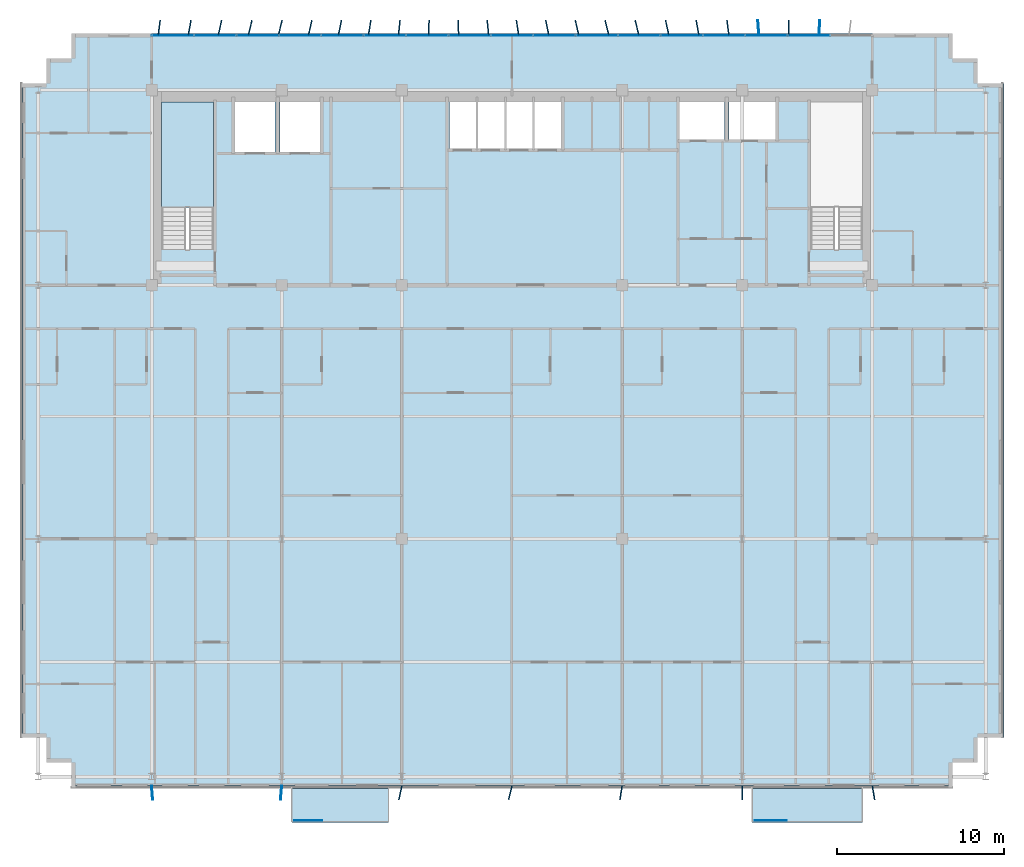
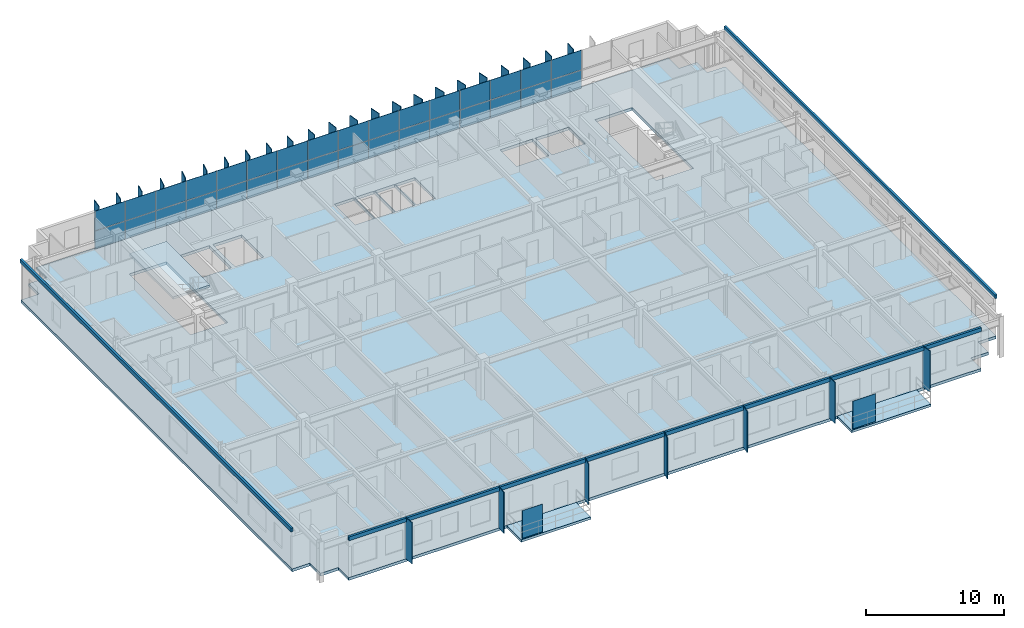
# One storey, part 13 of 22: 67 plates, 4 slabs, 2 elements without a shape of their own.
"""IFC4 building model written with IfcOpenShell, lengths in metres."""

from ifc_helpers import new_model, si_unit, direction, frame, origin, origin_2d, place, context, subcontext, project, spatial, polyline, rectangle, outline, extrude, source, transform, mapped, material, layer, layer_set, type_object, element, aggregate, save


model = new_model("IFC4")

# Units and contexts
model_context = context("Model", 3, precision=1e-05, world=origin(), true_north=direction((0.0, 1.0)))
body_context = subcontext(model_context, "Body", "Model", "MODEL_VIEW")
ifc_project = project(units=[si_unit("LENGTHUNIT", "METRE"), si_unit("AREAUNIT", "SQUARE_METRE"), si_unit("VOLUMEUNIT", "CUBIC_METRE"), si_unit("PLANEANGLEUNIT", "RADIAN"), si_unit("MASSUNIT", "GRAM", prefix="KILO")], contexts=[model_context])

# Site, building, storey
site_placement = place(None, origin())
site = spatial("IfcSite", under=ifc_project, at=site_placement, CompositionType="ELEMENT")
building_placement = place(site_placement, origin())
building = spatial("IfcBuilding", under=site, at=building_placement, Name="Trelvane Seafront Commons", CompositionType="ELEMENT")
storey_placement = place(building_placement, frame((0.0, 0.0, 139.300048828125)))
storey = spatial("IfcBuildingStorey", under=building, at=storey_placement, Name="L36", CompositionType="ELEMENT", Elevation=139.300048828125)

# Slabs
ifc_material_1 = material(Name="Concrete C40/50", Category="concrete")
ifc_layer_1 = layer(ifc_material_1, 0.219970703125, Name="ARCH-BALC-220")
ifc_layer_set_1 = layer_set([ifc_layer_1], Name="Concrete C40/50")
slab_type_1 = type_object("IfcSlabType", Name="ARCH-BALC-220", PredefinedType="FLOOR", material=ifc_layer_set_1)
slab_1_placement = place(storey_placement, frame((0.0, 0.0, -0.219970703125)))
element("IfcSlab", 1, at=slab_1_placement, inside=storey, type_object=slab_type_1, Name="L36 Cantilevered Tree Balcony Loggia 2", PredefinedType="FLOOR", context=body_context, shape_type="SweptSolid", body=[
    extrude(outline(polyline([(24.0, 1.199951171875), (29.800048828125, 1.199951171875), (29.800048828125, 3.300048828125), (24.0, 3.300048828125), (24.0, 1.199951171875)])), origin(), (0.0, 0.0, 1.0), 0.219970703125),
])
slab_2_placement = place(storey_placement, frame((0.0, 0.0, -0.219970703125)))
element("IfcSlab", 2, at=slab_2_placement, inside=storey, type_object=slab_type_1, Name="L36 Cantilevered Tree Balcony Loggia 3", PredefinedType="FLOOR", context=body_context, shape_type="SweptSolid", body=[
    extrude(outline(polyline([(51.60009765625, 1.199951171875), (58.199951171875, 1.199951171875), (58.199951171875, 3.300048828125), (51.60009765625, 3.300048828125), (51.60009765625, 1.199951171875)])), origin(), (0.0, 0.0, 1.0), 0.219970703125),
])

# Stair, slab
stair_type = type_object("IfcStairType", Name="ARCH-STR-ST-1-R20-180", PredefinedType="HALF_TURN_STAIR", material=ifc_material_1)
stair_placement = place(storey_placement, origin())
stair = element("IfcStair", 3, at=stair_placement, inside=storey, type_object=stair_type, Name="L36 West Protected Firefighting Exit Stair ST-1", PredefinedType="HALF_TURN_STAIR")
ifc_layer_2 = layer(ifc_material_1, 0.199951171875, Name="ARCH-LND-200")
ifc_layer_set_2 = layer_set([ifc_layer_2], Name="Concrete C40/50")
slab_type_2 = type_object("IfcSlabType", Name="ARCH-LND-200", PredefinedType="LANDING", material=ifc_layer_set_2)
slab_3_placement = place(storey_placement, frame((0.0, 0.0, 1.599853515625)))
slab_3 = element("IfcSlab", 4, at=slab_3_placement, type_object=slab_type_2, Name="ST-1 landing 1", PredefinedType="LANDING", context=body_context, shape_type="SweptSolid", body=[
    extrude(outline(polyline([(19.300048828125, 38.070068359375), (19.300048828125, 44.39990234375), (16.199951171875, 44.39990234375), (16.199951171875, 38.070068359375), (19.300048828125, 38.070068359375)])), origin(), (0.0, 0.0, 1.0), 0.2001953125),
])
aggregate(stair, [slab_3])

# Slab
ifc_material_2 = material(Name="Concrete C50/60", Category="concrete")
ifc_layer_3 = layer(ifc_material_2, 0.25, Name="STR-SLB-Z3-250")
ifc_layer_set_3 = layer_set([ifc_layer_3], Name="Concrete C50/60")
slab_type_3 = type_object("IfcSlabType", Name="STR-SLB-Z3-250", PredefinedType="FLOOR", material=ifc_layer_set_3)
slab_4_placement = place(storey_placement, frame((0.0, 0.0, -0.25)))
element("IfcSlab", 5, at=slab_4_placement, inside=storey, type_object=slab_type_3, Name="L36 Structural Floor Slab", PredefinedType="FLOOR", context=body_context, shape_type="SweptSolid", body=[
    extrude(outline(polyline([(10.800048828125, 3.300048828125), (63.60009765625, 3.300048828125), (63.60009765625, 4.800048828125), (65.10009765625, 4.800048828125), (65.10009765625, 6.300048828125), (66.60009765625, 6.300048828125), (66.60009765625, 45.5), (65.10009765625, 45.5), (65.10009765625, 47.0), (63.60009765625, 47.0), (63.60009765625, 48.5), (10.800048828125, 48.5), (10.800048828125, 47.0), (9.300048828125, 47.0), (9.300048828125, 45.5), (7.800048828125, 45.5), (7.800048828125, 6.300048828125), (9.300048828125, 6.300048828125), (9.300048828125, 4.800048828125), (10.800048828125, 4.800048828125), (10.800048828125, 3.300048828125)]), holes=[polyline([(19.300048828125, 35.550048828125), (16.199951171875, 35.550048828125), (16.199951171875, 44.39990234375), (19.300048828125, 44.39990234375), (19.300048828125, 35.550048828125)]), polyline([(58.199951171875, 35.550048828125), (55.10009765625, 35.550048828125), (55.10009765625, 44.39990234375), (58.199951171875, 44.39990234375), (58.199951171875, 35.550048828125)]), polyline([(23.0, 41.39990234375), (20.60009765625, 41.39990234375), (20.60009765625, 44.60009765625), (23.0, 44.60009765625), (23.0, 41.39990234375)]), polyline([(23.300048828125, 41.39990234375), (23.300048828125, 44.60009765625), (25.699951171875, 44.60009765625), (25.699951171875, 41.39990234375), (23.300048828125, 41.39990234375)]), polyline([(33.449951171875, 41.60009765625), (33.449951171875, 44.60009765625), (35.070068359375, 44.60009765625), (35.070068359375, 41.60009765625), (33.449951171875, 41.60009765625)]), polyline([(36.77001953125, 41.60009765625), (35.14990234375, 41.60009765625), (35.14990234375, 44.60009765625), (36.77001953125, 44.60009765625), (36.77001953125, 41.60009765625)]), polyline([(38.469970703125, 41.60009765625), (36.85009765625, 41.60009765625), (36.85009765625, 44.60009765625), (38.469970703125, 44.60009765625), (38.469970703125, 41.60009765625)]), polyline([(40.169921875, 41.60009765625), (38.550048828125, 41.60009765625), (38.550048828125, 44.60009765625), (40.169921875, 44.60009765625), (40.169921875, 41.60009765625)]), polyline([(47.25, 42.14990234375), (47.25, 44.550048828125), (49.949951171875, 44.550048828125), (49.949951171875, 42.14990234375), (47.25, 42.14990234375)]), polyline([(50.199951171875, 42.14990234375), (50.199951171875, 44.550048828125), (53.0, 44.550048828125), (53.0, 42.14990234375), (50.199951171875, 42.14990234375)])]), origin(), (0.0, 0.0, 1.0), 0.25),
])

# Plates
ifc_material_3 = material(Name="Perforated anodised aluminium screen", Category="aluminium")
ifc_layer_4 = layer(ifc_material_3, 0.01611328125, Name="ARCH-PLATE-SCREEN")
ifc_layer_set_4 = layer_set([ifc_layer_4], Name="Perforated anodised aluminium screen")
plate_type_1 = type_object("IfcPlateType", Name="ARCH-PLATE-SCREEN", PredefinedType="USERDEFINED", material=ifc_layer_set_4)
shared_shape_1 = source(origin(), body_context, "Body", "SweptSolid", [
    extrude(rectangle(XDim=1.9140625, YDim=0.01611328125, at=origin_2d()), origin(), (0.0, 0.0, 1.0), 2.449951171875),
])
plate_1_placement = place(storey_placement, frame((52.70703125, 1.320068359375, 0.0), z_axis=(0.0, 0.0, 1.0), x_axis=(1.0, 0.0, 0.0)))
element("IfcPlate", 6, at=plate_1_placement, inside=storey, type_object=plate_type_1, Name="SCR-L36-00133", ObjectType="SCREEN", PredefinedType="USERDEFINED", context=body_context, shape_type="MappedRepresentation", body=[
    mapped(shared_shape_1, transform((0.0, 0.0, 0.0), x_axis=(1.0, 0.0, 0.0), y_axis=(0.0, 1.0, 0.0), z_axis=(0.0, 0.0, 1.0), scale=1.0)),
])
shared_shape_2 = source(origin(), body_context, "Body", "SweptSolid", [
    extrude(rectangle(XDim=1.681884765625, YDim=0.01611328125, at=origin_2d()), origin(), (0.0, 0.0, 1.0), 2.449951171875),
])
plate_2_placement = place(storey_placement, frame((24.990966796875, 1.320068359375, 0.0), z_axis=(0.0, 0.0, 1.0), x_axis=(1.0, 0.0, 0.0)))
element("IfcPlate", 7, at=plate_2_placement, inside=storey, type_object=plate_type_1, Name="SCR-L36-00132", ObjectType="SCREEN", PredefinedType="USERDEFINED", context=body_context, shape_type="MappedRepresentation", body=[
    mapped(shared_shape_2, transform((0.0, 0.0, 0.0), x_axis=(1.0, 0.0, 0.0), y_axis=(0.0, 1.0, 0.0), z_axis=(0.0, 0.0, 1.0), scale=1.0)),
])
ifc_material_4 = material(Name="Anodised pale-silver aluminium", Category="aluminium")
ifc_layer_5 = layer(ifc_material_4, 0.06005859375, Name="ARCH-PLATE-FIN900")
ifc_layer_set_5 = layer_set([ifc_layer_5], Name="Anodised pale-silver aluminium")
plate_type_2 = type_object("IfcPlateType", Name="ARCH-PLATE-FIN900", PredefinedType="USERDEFINED", material=ifc_layer_set_5)
shared_shape_3 = source(origin(), body_context, "Body", "SweptSolid", [
    extrude(rectangle(XDim=0.89990234375, YDim=0.06005859375, at=origin_2d()), origin(), (0.0, 0.0, 1.0), 3.639892578125),
])
for number, where, z_axis, x_axis, name in (
    (8, (16.05615234375, 48.846435546875, -0.02001953125), (0.0, 0.0, 1.0), (0.12466308867, 0.992199130378, 0.0), "FIN-L36-00968"),
    (9, (17.879150390625, 48.843017578125, -0.02001953125), (0.0, 0.0, 1.0), (0.176009326228, 0.98438849906, 0.0), "FIN-L36-00969"),
    (10, (19.6962890625, 48.839599609375, -0.02001953125), (0.0, 0.0, 1.0), (0.214223913346, 0.976784579603, 0.0), "FIN-L36-00970"),
    (11, (21.50634765625, 48.837158203125, -0.02001953125), (0.0, 0.0, 1.0), (0.236439642978, 0.971646178003, 0.0), "FIN-L36-00971"),
    (12, (25.10302734375, 48.837890625, -0.02001953125), (0.0, 0.0, 1.0), (0.228996521822, 0.973427240729, 0.0), "FIN-L36-00973"),
    (13, (26.889892578125, 48.8408203125, -0.02001953125), (0.0, 0.0, 1.0), (0.199554352555, 0.979886758956, 0.0), "FIN-L36-00974"),
    (14, (28.669921875, 48.844482421875, -0.02001953125), (0.0, 0.0, 1.0), (0.155329385066, 0.98786273446, 0.0), "FIN-L36-00975"),
    (15, (32.216064453125, 48.849609375, -0.02001953125), (0.0, 0.0, 1.0), (0.035557077399, 0.999367647188, 0.0), "FIN-L36-00977"),
    (16, (33.986083984375, 48.849853515625, -0.02001953125), (0.0, 0.0, 1.0), (-0.030999061968, 0.999519413597, 0.0), "FIN-L36-00978"),
    (17, (35.757080078125, 48.847900390625, -0.02001953125), (0.0, 0.0, 1.0), (-0.095112588478, 0.995466521543, 0.0), "FIN-L36-00979"),
    (18, (37.53173828125, 48.8447265625, -0.02001953125), (0.0, 0.0, 1.0), (-0.151773198349, 0.988415346028, 0.0), "FIN-L36-00980"),
    (19, (39.311279296875, 48.84130859375, -0.02001953125), (0.0, 0.0, 1.0), (-0.196991756348, 0.98040514479, 0.0), "FIN-L36-00981"),
    (20, (41.09765625, 48.838134765625, -0.02001953125), (0.0, 0.0, 1.0), (-0.227446789033, 0.973790510407, 0.0), "FIN-L36-00982"),
    (21, (42.891357421875, 48.836669921875, -0.02001953125), (0.0, 0.0, 1.0), (-0.241227504659, 0.970468593514, 0.0), "FIN-L36-00983"),
    (22, (44.693115234375, 48.837158203125, -0.02001953125), (0.0, 0.0, 1.0), (-0.237434978264, 0.971403433748, 0.0), "FIN-L36-00984"),
    (23, (46.502685546875, 48.83935546875, -0.02001953125), (0.0, 0.0, 1.0), (-0.216330559277, 0.976320177566, 0.0), "FIN-L36-00985"),
    (24, (48.3193359375, 48.8427734375, -0.02001953125), (0.0, 0.0, 1.0), (-0.179228064781, 0.983807552723, 0.0), "FIN-L36-00986"),
    (25, (50.14208984375, 48.84619140625, -0.02001953125), (0.0, 0.0, 1.0), (-0.128560205146, 0.991701705985, 0.0), "FIN-L36-00987"),
    (26, (51.96923828125, 48.84912109375, -0.02001953125), (0.0, 0.0, 1.0), (-0.068111061167, 0.99767774524, 0.0), "FIN-L36-00988"),
    (27, (53.798828125, 48.85009765625, -0.02001953125), (0.0, 0.0, 1.0), (-0.002333503092, 0.999997277378, 0.0), "FIN-L36-00989"),
    (28, (55.628662109375, 48.84912109375, -0.02001953125), (0.0, 0.0, 1.0), (0.063664921709, 0.997971331123, 0.0), "FIN-L36-00990"),
):
    element("IfcPlate", number, at=place(storey_placement, frame(where, z_axis=z_axis, x_axis=x_axis)), inside=storey, type_object=plate_type_2, Name=name, ObjectType="FIN", PredefinedType="USERDEFINED", context=body_context, shape_type="MappedRepresentation", body=[
        mapped(shared_shape_3, transform((0.0, 0.0, 0.0), x_axis=(1.0, 0.0, 0.0), y_axis=(0.0, 1.0, 0.0), z_axis=(0.0, 0.0, 1.0), scale=1.0)),
    ])
shared_shape_4 = source(origin(), body_context, "Body", "SweptSolid", [
    extrude(rectangle(XDim=0.900146484375, YDim=0.06005859375, at=origin_2d()), origin(), (0.0, 0.0, 1.0), 3.639892578125),
])
for number, where, z_axis, x_axis, name in (
    (29, (23.30859375, 48.836669921875, -0.02001953125), (0.0, 0.0, 1.0), (0.241542536366, 0.970390232394, 0.0), "FIN-L36-00972"),
    (30, (30.444580078125, 48.847900390625, -0.02001953125), (0.0, 0.0, 1.0), (0.099328433238, 0.995054703195, 0.0), "FIN-L36-00976"),
):
    element("IfcPlate", number, at=place(storey_placement, frame(where, z_axis=z_axis, x_axis=x_axis)), inside=storey, type_object=plate_type_2, Name=name, ObjectType="FIN", PredefinedType="USERDEFINED", context=body_context, shape_type="MappedRepresentation", body=[
        mapped(shared_shape_4, transform((0.0, 0.0, 0.0), x_axis=(1.0, 0.0, 0.0), y_axis=(0.0, 1.0, 0.0), z_axis=(0.0, 0.0, 1.0), scale=1.0)),
    ])
shared_shape_5 = source(origin(), body_context, "Body", "SweptSolid", [
    extrude(rectangle(XDim=0.85009765625, YDim=0.06005859375, at=origin_2d()), origin(), (0.0, 0.0, 1.0), 3.639892578125),
])
for number, where, z_axis, x_axis, name in (
    (31, (15.634033203125, 2.976318359375, -0.02001953125), (0.0, 0.0, 1.0), (0.079997116636, -0.996795094957, 0.0), "FIN-S-L36-00992"),
    (32, (23.36279296875, 2.9765625, -0.02001953125), (0.0, 0.0, 1.0), (-0.087289620917, -0.996182976205, 0.0), "FIN-S-L36-00993"),
    (33, (30.509765625, 2.984619140625, -0.02001953125), (0.0, 0.0, 1.0), (-0.212244189676, -0.977216661723, 0.0), "FIN-S-L36-00994"),
    (34, (37.09912109375, 2.987060546875, -0.02001953125), (0.0, 0.0, 1.0), (-0.237411242329, -0.971409235089, 0.0), "FIN-S-L36-00995"),
    (35, (43.7353515625, 2.97998046875, -0.02001953125), (0.0, 0.0, 1.0), (-0.152233786281, -0.988344511957, 0.0), "FIN-S-L36-00996"),
    (36, (51.00244140625, 2.97509765625, -0.02001953125), (0.0, 0.0, 1.0), (0.00600040596, -0.999981997402, 0.0), "FIN-S-L36-00997"),
    (37, (58.868408203125, 2.980712890625, -0.02001953125), (0.0, 0.0, 1.0), (0.161173208696, -0.986926135432, 0.0), "FIN-S-L36-00998"),
):
    element("IfcPlate", number, at=place(storey_placement, frame(where, z_axis=z_axis, x_axis=x_axis)), inside=storey, type_object=plate_type_2, Name=name, ObjectType="FIN", PredefinedType="USERDEFINED", context=body_context, shape_type="MappedRepresentation", body=[
        mapped(shared_shape_5, transform((0.0, 0.0, 0.0), x_axis=(1.0, 0.0, 0.0), y_axis=(0.0, 1.0, 0.0), z_axis=(0.0, 0.0, 1.0), scale=1.0)),
    ])

# Curtain wall, plates
curtain_wall_type = type_object("IfcCurtainWallType", Name="ARCH-CW5-UPTOWER", PredefinedType="NOTDEFINED", material=ifc_material_4)
curtain_wall_placement = place(storey_placement, origin())
curtain_wall = element("IfcCurtainWall", 38, at=curtain_wall_placement, inside=storey, type_object=curtain_wall_type, Name="CW-L36-0063", PredefinedType="NOTDEFINED")
ifc_material_5 = material(Name="Low-E coastal double glazing", Category="glass")
ifc_layer_6 = layer(ifc_material_5, 0.033935546875, Name="ARCH-CW-GLAZ-34")
ifc_layer_set_6 = layer_set([ifc_layer_6], Name="Low-E coastal double glazing")
plate_type_3 = type_object("IfcPlateType", Name="ARCH-CW-GLAZ-34", PredefinedType="CURTAIN_PANEL", material=ifc_layer_set_6)
shared_shape_6 = source(origin(), body_context, "Body", "SweptSolid", [
    extrude(rectangle(XDim=2.51708984375, YDim=0.033935546875, at=origin_2d()), origin(), (0.0, 0.0, 1.0), 1.590087890625),
])
plate_3_placement = place(storey_placement, frame((16.87060546875, 48.3701171875, 0.0), z_axis=(0.0, 0.0, 1.0), x_axis=(1.0, 0.0, 0.0)))
plate_3 = element("IfcPlate", 39, at=plate_3_placement, type_object=plate_type_3, Name="CW-L36-0063-P00-1", PredefinedType="CURTAIN_PANEL", context=body_context, shape_type="MappedRepresentation", body=[
    mapped(shared_shape_6, transform((0.0, 0.0, 0.0), x_axis=(1.0, 0.0, 0.0), y_axis=(0.0, 1.0, 0.0), z_axis=(0.0, 0.0, 1.0), scale=1.0)),
])
plate_4_placement = place(storey_placement, frame((19.411865234375, 48.3701171875, 0.0), z_axis=(0.0, 0.0, 1.0), x_axis=(1.0, 0.0, 0.0)))
plate_4 = element("IfcPlate", 40, at=plate_4_placement, type_object=plate_type_3, Name="CW-L36-0063-P01-1", PredefinedType="CURTAIN_PANEL", context=body_context, shape_type="MappedRepresentation", body=[
    mapped(shared_shape_6, transform((0.0, 0.0, 0.0), x_axis=(1.0, 0.0, 0.0), y_axis=(0.0, 1.0, 0.0), z_axis=(0.0, 0.0, 1.0), scale=1.0)),
])
plate_5_placement = place(storey_placement, frame((21.952880859375, 48.3701171875, 0.0), z_axis=(0.0, 0.0, 1.0), x_axis=(1.0, 0.0, 0.0)))
plate_5 = element("IfcPlate", 41, at=plate_5_placement, type_object=plate_type_3, Name="CW-L36-0063-P02-1", PredefinedType="CURTAIN_PANEL", context=body_context, shape_type="MappedRepresentation", body=[
    mapped(shared_shape_6, transform((0.0, 0.0, 0.0), x_axis=(1.0, 0.0, 0.0), y_axis=(0.0, 1.0, 0.0), z_axis=(0.0, 0.0, 1.0), scale=1.0)),
])
plate_6_placement = place(storey_placement, frame((24.494140625, 48.3701171875, 0.0), z_axis=(0.0, 0.0, 1.0), x_axis=(1.0, 0.0, 0.0)))
plate_6 = element("IfcPlate", 42, at=plate_6_placement, type_object=plate_type_3, Name="CW-L36-0063-P03-1", PredefinedType="CURTAIN_PANEL", context=body_context, shape_type="MappedRepresentation", body=[
    mapped(shared_shape_6, transform((0.0, 0.0, 0.0), x_axis=(1.0, 0.0, 0.0), y_axis=(0.0, 1.0, 0.0), z_axis=(0.0, 0.0, 1.0), scale=1.0)),
])
plate_7_placement = place(storey_placement, frame((27.035400390625, 48.3701171875, 0.0), z_axis=(0.0, 0.0, 1.0), x_axis=(1.0, 0.0, 0.0)))
plate_7 = element("IfcPlate", 43, at=plate_7_placement, type_object=plate_type_3, Name="CW-L36-0063-P04-1", PredefinedType="CURTAIN_PANEL", context=body_context, shape_type="MappedRepresentation", body=[
    mapped(shared_shape_6, transform((0.0, 0.0, 0.0), x_axis=(1.0, 0.0, 0.0), y_axis=(0.0, 1.0, 0.0), z_axis=(0.0, 0.0, 1.0), scale=1.0)),
])
plate_8_placement = place(storey_placement, frame((29.576416015625, 48.3701171875, 0.0), z_axis=(0.0, 0.0, 1.0), x_axis=(1.0, 0.0, 0.0)))
plate_8 = element("IfcPlate", 44, at=plate_8_placement, type_object=plate_type_3, Name="CW-L36-0063-P05-1", PredefinedType="CURTAIN_PANEL", context=body_context, shape_type="MappedRepresentation", body=[
    mapped(shared_shape_6, transform((0.0, 0.0, 0.0), x_axis=(1.0, 0.0, 0.0), y_axis=(0.0, 1.0, 0.0), z_axis=(0.0, 0.0, 1.0), scale=1.0)),
])
plate_9_placement = place(storey_placement, frame((32.11767578125, 48.3701171875, 0.0), z_axis=(0.0, 0.0, 1.0), x_axis=(1.0, 0.0, 0.0)))
plate_9 = element("IfcPlate", 45, at=plate_9_placement, type_object=plate_type_3, Name="CW-L36-0063-P06-1", PredefinedType="CURTAIN_PANEL", context=body_context, shape_type="MappedRepresentation", body=[
    mapped(shared_shape_6, transform((0.0, 0.0, 0.0), x_axis=(1.0, 0.0, 0.0), y_axis=(0.0, 1.0, 0.0), z_axis=(0.0, 0.0, 1.0), scale=1.0)),
])
plate_10_placement = place(storey_placement, frame((34.65869140625, 48.3701171875, 0.0), z_axis=(0.0, 0.0, 1.0), x_axis=(1.0, 0.0, 0.0)))
plate_10 = element("IfcPlate", 46, at=plate_10_placement, type_object=plate_type_3, Name="CW-L36-0063-P07-1", PredefinedType="CURTAIN_PANEL", context=body_context, shape_type="MappedRepresentation", body=[
    mapped(shared_shape_6, transform((0.0, 0.0, 0.0), x_axis=(1.0, 0.0, 0.0), y_axis=(0.0, 1.0, 0.0), z_axis=(0.0, 0.0, 1.0), scale=1.0)),
])
plate_11_placement = place(storey_placement, frame((37.199951171875, 48.3701171875, 0.0), z_axis=(0.0, 0.0, 1.0), x_axis=(1.0, 0.0, 0.0)))
plate_11 = element("IfcPlate", 47, at=plate_11_placement, type_object=plate_type_3, Name="CW-L36-0063-P08-1", PredefinedType="CURTAIN_PANEL", context=body_context, shape_type="MappedRepresentation", body=[
    mapped(shared_shape_6, transform((0.0, 0.0, 0.0), x_axis=(1.0, 0.0, 0.0), y_axis=(0.0, 1.0, 0.0), z_axis=(0.0, 0.0, 1.0), scale=1.0)),
])
plate_12_placement = place(storey_placement, frame((39.7412109375, 48.3701171875, 0.0), z_axis=(0.0, 0.0, 1.0), x_axis=(1.0, 0.0, 0.0)))
plate_12 = element("IfcPlate", 48, at=plate_12_placement, type_object=plate_type_3, Name="CW-L36-0063-P09-1", PredefinedType="CURTAIN_PANEL", context=body_context, shape_type="MappedRepresentation", body=[
    mapped(shared_shape_6, transform((0.0, 0.0, 0.0), x_axis=(1.0, 0.0, 0.0), y_axis=(0.0, 1.0, 0.0), z_axis=(0.0, 0.0, 1.0), scale=1.0)),
])
plate_13_placement = place(storey_placement, frame((42.282470703125, 48.3701171875, 0.0), z_axis=(0.0, 0.0, 1.0), x_axis=(1.0, 0.0, 0.0)))
plate_13 = element("IfcPlate", 49, at=plate_13_placement, type_object=plate_type_3, Name="CW-L36-0063-P10-1", PredefinedType="CURTAIN_PANEL", context=body_context, shape_type="MappedRepresentation", body=[
    mapped(shared_shape_6, transform((0.0, 0.0, 0.0), x_axis=(1.0, 0.0, 0.0), y_axis=(0.0, 1.0, 0.0), z_axis=(0.0, 0.0, 1.0), scale=1.0)),
])
plate_14_placement = place(storey_placement, frame((44.823486328125, 48.3701171875, 0.0), z_axis=(0.0, 0.0, 1.0), x_axis=(1.0, 0.0, 0.0)))
plate_14 = element("IfcPlate", 50, at=plate_14_placement, type_object=plate_type_3, Name="CW-L36-0063-P11-1", PredefinedType="CURTAIN_PANEL", context=body_context, shape_type="MappedRepresentation", body=[
    mapped(shared_shape_6, transform((0.0, 0.0, 0.0), x_axis=(1.0, 0.0, 0.0), y_axis=(0.0, 1.0, 0.0), z_axis=(0.0, 0.0, 1.0), scale=1.0)),
])
plate_15_placement = place(storey_placement, frame((47.36474609375, 48.3701171875, 0.0), z_axis=(0.0, 0.0, 1.0), x_axis=(1.0, 0.0, 0.0)))
plate_15 = element("IfcPlate", 51, at=plate_15_placement, type_object=plate_type_3, Name="CW-L36-0063-P12-1", PredefinedType="CURTAIN_PANEL", context=body_context, shape_type="MappedRepresentation", body=[
    mapped(shared_shape_6, transform((0.0, 0.0, 0.0), x_axis=(1.0, 0.0, 0.0), y_axis=(0.0, 1.0, 0.0), z_axis=(0.0, 0.0, 1.0), scale=1.0)),
])
plate_16_placement = place(storey_placement, frame((49.906005859375, 48.3701171875, 0.0), z_axis=(0.0, 0.0, 1.0), x_axis=(1.0, 0.0, 0.0)))
plate_16 = element("IfcPlate", 52, at=plate_16_placement, type_object=plate_type_3, Name="CW-L36-0063-P13-1", PredefinedType="CURTAIN_PANEL", context=body_context, shape_type="MappedRepresentation", body=[
    mapped(shared_shape_6, transform((0.0, 0.0, 0.0), x_axis=(1.0, 0.0, 0.0), y_axis=(0.0, 1.0, 0.0), z_axis=(0.0, 0.0, 1.0), scale=1.0)),
])
plate_17_placement = place(storey_placement, frame((52.447021484375, 48.3701171875, 0.0), z_axis=(0.0, 0.0, 1.0), x_axis=(1.0, 0.0, 0.0)))
plate_17 = element("IfcPlate", 53, at=plate_17_placement, type_object=plate_type_3, Name="CW-L36-0063-P14-1", PredefinedType="CURTAIN_PANEL", context=body_context, shape_type="MappedRepresentation", body=[
    mapped(shared_shape_6, transform((0.0, 0.0, 0.0), x_axis=(1.0, 0.0, 0.0), y_axis=(0.0, 1.0, 0.0), z_axis=(0.0, 0.0, 1.0), scale=1.0)),
])
plate_18_placement = place(storey_placement, frame((54.98828125, 48.3701171875, 0.0), z_axis=(0.0, 0.0, 1.0), x_axis=(1.0, 0.0, 0.0)))
plate_18 = element("IfcPlate", 54, at=plate_18_placement, type_object=plate_type_3, Name="CW-L36-0063-P15-1", PredefinedType="CURTAIN_PANEL", context=body_context, shape_type="MappedRepresentation", body=[
    mapped(shared_shape_6, transform((0.0, 0.0, 0.0), x_axis=(1.0, 0.0, 0.0), y_axis=(0.0, 1.0, 0.0), z_axis=(0.0, 0.0, 1.0), scale=1.0)),
])
shared_shape_7 = source(origin(), body_context, "Body", "SweptSolid", [
    extrude(rectangle(XDim=2.51708984375, YDim=0.033935546875, at=origin_2d()), origin(), (0.0, 0.0, 1.0), 1.72412109375),
])
plate_19_placement = place(storey_placement, frame((16.87060546875, 48.3701171875, 1.6259765625), z_axis=(0.0, 0.0, 1.0), x_axis=(1.0, 0.0, 0.0)))
plate_19 = element("IfcPlate", 55, at=plate_19_placement, type_object=plate_type_3, Name="CW-L36-0063-P00-2", PredefinedType="CURTAIN_PANEL", context=body_context, shape_type="MappedRepresentation", body=[
    mapped(shared_shape_7, transform((0.0, 0.0, 0.0), x_axis=(1.0, 0.0, 0.0), y_axis=(0.0, 1.0, 0.0), z_axis=(0.0, 0.0, 1.0), scale=1.0)),
])
plate_20_placement = place(storey_placement, frame((19.411865234375, 48.3701171875, 1.6259765625), z_axis=(0.0, 0.0, 1.0), x_axis=(1.0, 0.0, 0.0)))
plate_20 = element("IfcPlate", 56, at=plate_20_placement, type_object=plate_type_3, Name="CW-L36-0063-P01-2", PredefinedType="CURTAIN_PANEL", context=body_context, shape_type="MappedRepresentation", body=[
    mapped(shared_shape_7, transform((0.0, 0.0, 0.0), x_axis=(1.0, 0.0, 0.0), y_axis=(0.0, 1.0, 0.0), z_axis=(0.0, 0.0, 1.0), scale=1.0)),
])
plate_21_placement = place(storey_placement, frame((21.952880859375, 48.3701171875, 1.6259765625), z_axis=(0.0, 0.0, 1.0), x_axis=(1.0, 0.0, 0.0)))
plate_21 = element("IfcPlate", 57, at=plate_21_placement, type_object=plate_type_3, Name="CW-L36-0063-P02-2", PredefinedType="CURTAIN_PANEL", context=body_context, shape_type="MappedRepresentation", body=[
    mapped(shared_shape_7, transform((0.0, 0.0, 0.0), x_axis=(1.0, 0.0, 0.0), y_axis=(0.0, 1.0, 0.0), z_axis=(0.0, 0.0, 1.0), scale=1.0)),
])
plate_22_placement = place(storey_placement, frame((24.494140625, 48.3701171875, 1.6259765625), z_axis=(0.0, 0.0, 1.0), x_axis=(1.0, 0.0, 0.0)))
plate_22 = element("IfcPlate", 58, at=plate_22_placement, type_object=plate_type_3, Name="CW-L36-0063-P03-2", PredefinedType="CURTAIN_PANEL", context=body_context, shape_type="MappedRepresentation", body=[
    mapped(shared_shape_7, transform((0.0, 0.0, 0.0), x_axis=(1.0, 0.0, 0.0), y_axis=(0.0, 1.0, 0.0), z_axis=(0.0, 0.0, 1.0), scale=1.0)),
])
plate_23_placement = place(storey_placement, frame((27.035400390625, 48.3701171875, 1.6259765625), z_axis=(0.0, 0.0, 1.0), x_axis=(1.0, 0.0, 0.0)))
plate_23 = element("IfcPlate", 59, at=plate_23_placement, type_object=plate_type_3, Name="CW-L36-0063-P04-2", PredefinedType="CURTAIN_PANEL", context=body_context, shape_type="MappedRepresentation", body=[
    mapped(shared_shape_7, transform((0.0, 0.0, 0.0), x_axis=(1.0, 0.0, 0.0), y_axis=(0.0, 1.0, 0.0), z_axis=(0.0, 0.0, 1.0), scale=1.0)),
])
plate_24_placement = place(storey_placement, frame((29.576416015625, 48.3701171875, 1.6259765625), z_axis=(0.0, 0.0, 1.0), x_axis=(1.0, 0.0, 0.0)))
plate_24 = element("IfcPlate", 60, at=plate_24_placement, type_object=plate_type_3, Name="CW-L36-0063-P05-2", PredefinedType="CURTAIN_PANEL", context=body_context, shape_type="MappedRepresentation", body=[
    mapped(shared_shape_7, transform((0.0, 0.0, 0.0), x_axis=(1.0, 0.0, 0.0), y_axis=(0.0, 1.0, 0.0), z_axis=(0.0, 0.0, 1.0), scale=1.0)),
])
plate_25_placement = place(storey_placement, frame((32.11767578125, 48.3701171875, 1.6259765625), z_axis=(0.0, 0.0, 1.0), x_axis=(1.0, 0.0, 0.0)))
plate_25 = element("IfcPlate", 61, at=plate_25_placement, type_object=plate_type_3, Name="CW-L36-0063-P06-2", PredefinedType="CURTAIN_PANEL", context=body_context, shape_type="MappedRepresentation", body=[
    mapped(shared_shape_7, transform((0.0, 0.0, 0.0), x_axis=(1.0, 0.0, 0.0), y_axis=(0.0, 1.0, 0.0), z_axis=(0.0, 0.0, 1.0), scale=1.0)),
])
plate_26_placement = place(storey_placement, frame((34.65869140625, 48.3701171875, 1.6259765625), z_axis=(0.0, 0.0, 1.0), x_axis=(1.0, 0.0, 0.0)))
plate_26 = element("IfcPlate", 62, at=plate_26_placement, type_object=plate_type_3, Name="CW-L36-0063-P07-2", PredefinedType="CURTAIN_PANEL", context=body_context, shape_type="MappedRepresentation", body=[
    mapped(shared_shape_7, transform((0.0, 0.0, 0.0), x_axis=(1.0, 0.0, 0.0), y_axis=(0.0, 1.0, 0.0), z_axis=(0.0, 0.0, 1.0), scale=1.0)),
])
plate_27_placement = place(storey_placement, frame((37.199951171875, 48.3701171875, 1.6259765625), z_axis=(0.0, 0.0, 1.0), x_axis=(1.0, 0.0, 0.0)))
plate_27 = element("IfcPlate", 63, at=plate_27_placement, type_object=plate_type_3, Name="CW-L36-0063-P08-2", PredefinedType="CURTAIN_PANEL", context=body_context, shape_type="MappedRepresentation", body=[
    mapped(shared_shape_7, transform((0.0, 0.0, 0.0), x_axis=(1.0, 0.0, 0.0), y_axis=(0.0, 1.0, 0.0), z_axis=(0.0, 0.0, 1.0), scale=1.0)),
])
plate_28_placement = place(storey_placement, frame((39.7412109375, 48.3701171875, 1.6259765625), z_axis=(0.0, 0.0, 1.0), x_axis=(1.0, 0.0, 0.0)))
plate_28 = element("IfcPlate", 64, at=plate_28_placement, type_object=plate_type_3, Name="CW-L36-0063-P09-2", PredefinedType="CURTAIN_PANEL", context=body_context, shape_type="MappedRepresentation", body=[
    mapped(shared_shape_7, transform((0.0, 0.0, 0.0), x_axis=(1.0, 0.0, 0.0), y_axis=(0.0, 1.0, 0.0), z_axis=(0.0, 0.0, 1.0), scale=1.0)),
])
plate_29_placement = place(storey_placement, frame((42.282470703125, 48.3701171875, 1.6259765625), z_axis=(0.0, 0.0, 1.0), x_axis=(1.0, 0.0, 0.0)))
plate_29 = element("IfcPlate", 65, at=plate_29_placement, type_object=plate_type_3, Name="CW-L36-0063-P10-2", PredefinedType="CURTAIN_PANEL", context=body_context, shape_type="MappedRepresentation", body=[
    mapped(shared_shape_7, transform((0.0, 0.0, 0.0), x_axis=(1.0, 0.0, 0.0), y_axis=(0.0, 1.0, 0.0), z_axis=(0.0, 0.0, 1.0), scale=1.0)),
])
plate_30_placement = place(storey_placement, frame((44.823486328125, 48.3701171875, 1.6259765625), z_axis=(0.0, 0.0, 1.0), x_axis=(1.0, 0.0, 0.0)))
plate_30 = element("IfcPlate", 66, at=plate_30_placement, type_object=plate_type_3, Name="CW-L36-0063-P11-2", PredefinedType="CURTAIN_PANEL", context=body_context, shape_type="MappedRepresentation", body=[
    mapped(shared_shape_7, transform((0.0, 0.0, 0.0), x_axis=(1.0, 0.0, 0.0), y_axis=(0.0, 1.0, 0.0), z_axis=(0.0, 0.0, 1.0), scale=1.0)),
])
plate_31_placement = place(storey_placement, frame((47.36474609375, 48.3701171875, 1.6259765625), z_axis=(0.0, 0.0, 1.0), x_axis=(1.0, 0.0, 0.0)))
plate_31 = element("IfcPlate", 67, at=plate_31_placement, type_object=plate_type_3, Name="CW-L36-0063-P12-2", PredefinedType="CURTAIN_PANEL", context=body_context, shape_type="MappedRepresentation", body=[
    mapped(shared_shape_7, transform((0.0, 0.0, 0.0), x_axis=(1.0, 0.0, 0.0), y_axis=(0.0, 1.0, 0.0), z_axis=(0.0, 0.0, 1.0), scale=1.0)),
])
plate_32_placement = place(storey_placement, frame((49.906005859375, 48.3701171875, 1.6259765625), z_axis=(0.0, 0.0, 1.0), x_axis=(1.0, 0.0, 0.0)))
plate_32 = element("IfcPlate", 68, at=plate_32_placement, type_object=plate_type_3, Name="CW-L36-0063-P13-2", PredefinedType="CURTAIN_PANEL", context=body_context, shape_type="MappedRepresentation", body=[
    mapped(shared_shape_7, transform((0.0, 0.0, 0.0), x_axis=(1.0, 0.0, 0.0), y_axis=(0.0, 1.0, 0.0), z_axis=(0.0, 0.0, 1.0), scale=1.0)),
])
plate_33_placement = place(storey_placement, frame((52.447021484375, 48.3701171875, 1.6259765625), z_axis=(0.0, 0.0, 1.0), x_axis=(1.0, 0.0, 0.0)))
plate_33 = element("IfcPlate", 69, at=plate_33_placement, type_object=plate_type_3, Name="CW-L36-0063-P14-2", PredefinedType="CURTAIN_PANEL", context=body_context, shape_type="MappedRepresentation", body=[
    mapped(shared_shape_7, transform((0.0, 0.0, 0.0), x_axis=(1.0, 0.0, 0.0), y_axis=(0.0, 1.0, 0.0), z_axis=(0.0, 0.0, 1.0), scale=1.0)),
])
plate_34_placement = place(storey_placement, frame((54.98828125, 48.3701171875, 1.6259765625), z_axis=(0.0, 0.0, 1.0), x_axis=(1.0, 0.0, 0.0)))
plate_34 = element("IfcPlate", 70, at=plate_34_placement, type_object=plate_type_3, Name="CW-L36-0063-P15-2", PredefinedType="CURTAIN_PANEL", context=body_context, shape_type="MappedRepresentation", body=[
    mapped(shared_shape_7, transform((0.0, 0.0, 0.0), x_axis=(1.0, 0.0, 0.0), y_axis=(0.0, 1.0, 0.0), z_axis=(0.0, 0.0, 1.0), scale=1.0)),
])
aggregate(curtain_wall, [plate_3, plate_19, plate_4, plate_20, plate_5, plate_21, plate_6, plate_22, plate_7, plate_23, plate_8, plate_24, plate_9, plate_25, plate_10, plate_26, plate_11, plate_27, plate_12, plate_28, plate_13, plate_29, plate_14, plate_30, plate_15, plate_31, plate_16, plate_32, plate_17, plate_33, plate_18, plate_34])

# Plates
ifc_layer_7 = layer(ifc_material_4, 0.179931640625, Name="ARCH-PLATE-AERO")
ifc_layer_set_7 = layer_set([ifc_layer_7], Name="Anodised pale-silver aluminium")
plate_type_4 = type_object("IfcPlateType", Name="ARCH-PLATE-AERO", PredefinedType="SHEET", material=ifc_layer_set_7)
shared_shape_8 = source(origin(), body_context, "Body", "SweptSolid", [
    extrude(rectangle(XDim=39.199951171875, YDim=0.179931640625, at=origin_2d()), origin(), (0.0, 0.0, 1.0), 0.330078125),
])
for number, where, z_axis, x_axis, name in (
    (71, (7.800048828125, 25.89990234375, 3.289794921875), (0.0, 0.0, 1.0), (0.0, 1.0, 0.0), "AER-L36-00130"),
    (72, (66.60009765625, 25.89990234375, 3.289794921875), (0.0, 0.0, 1.0), (0.0, -1.0, 0.0), "AER-L36-00131"),
):
    element("IfcPlate", number, at=place(storey_placement, frame(where, z_axis=z_axis, x_axis=x_axis)), inside=storey, type_object=plate_type_4, Name=name, PredefinedType="SHEET", context=body_context, shape_type="MappedRepresentation", body=[
        mapped(shared_shape_8, transform((0.0, 0.0, 0.0), x_axis=(1.0, 0.0, 0.0), y_axis=(0.0, 1.0, 0.0), z_axis=(0.0, 0.0, 1.0), scale=1.0)),
    ])
shared_shape_9 = source(origin(), body_context, "Body", "SweptSolid", [
    extrude(rectangle(XDim=52.800048828125, YDim=0.179931640625, at=origin_2d()), origin(), (0.0, 0.0, 1.0), 0.330078125),
])
plate_35_placement = place(storey_placement, frame((37.199951171875, 3.340087890625, 3.289794921875), z_axis=(0.0, 0.0, 1.0), x_axis=(-1.0, 0.0, 0.0)))
element("IfcPlate", 73, at=plate_35_placement, inside=storey, type_object=plate_type_4, Name="AER-S-L36-00134", PredefinedType="SHEET", context=body_context, shape_type="MappedRepresentation", body=[
    mapped(shared_shape_9, transform((0.0, 0.0, 0.0), x_axis=(1.0, 0.0, 0.0), y_axis=(0.0, 1.0, 0.0), z_axis=(0.0, 0.0, 1.0), scale=1.0)),
])

save(model, "model.ifc")
